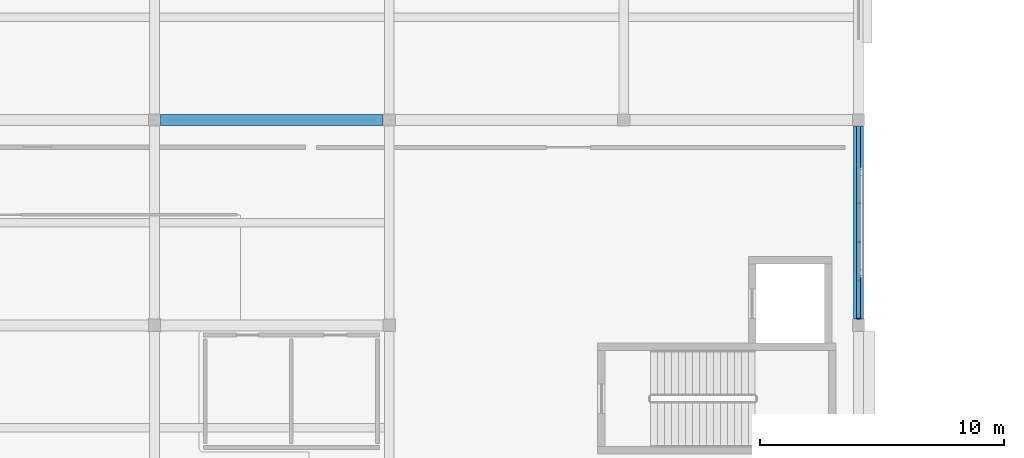
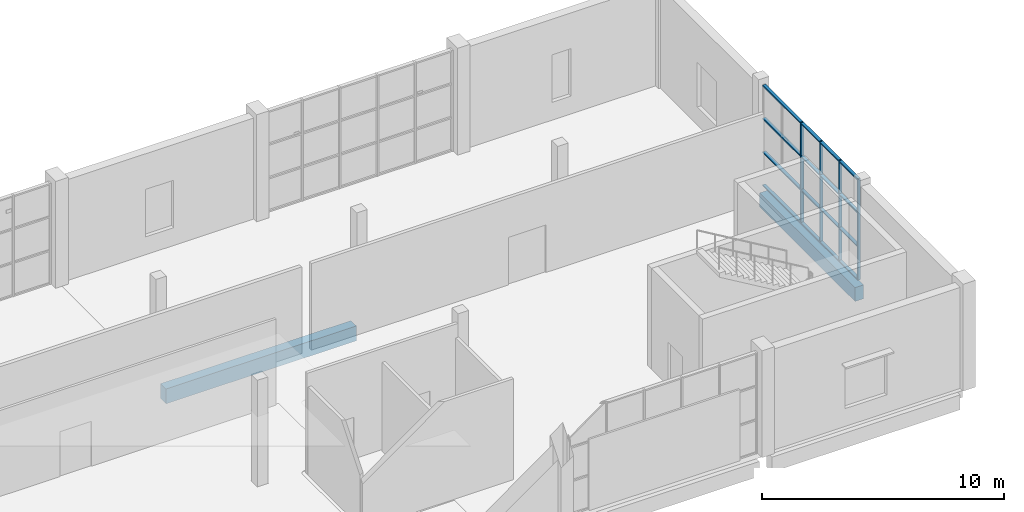
# One storey, part 25 of 72: 8 members, 2 beams, 1 element without a shape of its own.
"""IFC4 building model written with IfcOpenShell, lengths in metres."""

from ifc_helpers import new_model, si_unit, direction, frame, origin, origin_2d, place, context, subcontext, project, spatial, rectangle, extrude, material, material_profile, profile_set, type_object, element, aggregate, save


model = new_model("IFC4")

# Units and contexts
model_context = context("Model", 3, precision=1e-05, world=origin(), true_north=direction((0.0, 1.0)))
body_context = subcontext(model_context, "Body", "Model", "MODEL_VIEW")
ifc_project = project(units=[si_unit("LENGTHUNIT", "METRE"), si_unit("AREAUNIT", "SQUARE_METRE"), si_unit("VOLUMEUNIT", "CUBIC_METRE"), si_unit("PLANEANGLEUNIT", "RADIAN"), si_unit("MASSUNIT", "GRAM", prefix="KILO")], contexts=[model_context])

# Site, building, storey
site_placement = place(None, origin())
site = spatial("IfcSite", under=ifc_project, at=site_placement, CompositionType="ELEMENT")
building_placement = place(site_placement, origin())
building = spatial("IfcBuilding", under=site, at=building_placement, Name="Shalvenor Court Art Gallery", CompositionType="ELEMENT")
storey_placement = place(building_placement, frame((0.0, 0.0, 11.39990234375)))
storey = spatial("IfcBuildingStorey", under=building, at=storey_placement, Name="L02", CompositionType="ELEMENT", Elevation=11.39990234375)

# Beams
ifc_material_1 = material(Name="Concrete C40/50", Category="concrete")
ifc_material_profile_1 = material_profile(ifc_material_1, rectangle(XDim=0.449951171875, YDim=0.75, at=origin_2d()), Name="RC 450x750")
ifc_profile_set_1 = profile_set([ifc_material_profile_1], Name="Concrete C40/50")
beam_type_1 = type_object("IfcBeamType", Name="B-04", PredefinedType="BEAM", material=ifc_profile_set_1)
beam_1_placement = place(storey_placement, frame((96.25, 114.0, -0.69482421875), z_axis=(1.0, 0.0, 0.0), x_axis=(0.0, 1.0, 0.0)))
element("IfcBeam", 1, at=beam_1_placement, inside=storey, type_object=beam_type_1, Name="L02 Girder BM-L02-B-04-0899", PredefinedType="BEAM", context=body_context, shape_type="SweptSolid", body=[
    extrude(rectangle(XDim=0.449951171875, YDim=0.75, at=origin_2d()), origin(), (0.0, 0.0, 1.0), 9.10009765625),
])
ifc_material_2 = material(Name="Concrete C40/50", Category="concrete")
ifc_material_profile_2 = material_profile(ifc_material_2, rectangle(XDim=0.39990234375, YDim=0.699951171875, at=origin_2d()), Name="RC 400x700")
ifc_profile_set_2 = profile_set([ifc_material_profile_2], Name="Concrete C40/50")
beam_type_2 = type_object("IfcBeamType", Name="B-05", PredefinedType="BEAM", material=ifc_profile_set_2)
beam_2_placement = place(storey_placement, frame((124.800048828125, 105.85009765625, -0.669921875), z_axis=(0.0, 1.0, 0.0), x_axis=(-1.0, 0.0, 0.0)))
element("IfcBeam", 2, at=beam_2_placement, inside=storey, type_object=beam_type_2, Name="L02 Girder BM-L02-B-05-0768", PredefinedType="BEAM", context=body_context, shape_type="SweptSolid", body=[
    extrude(rectangle(XDim=0.39990234375, YDim=0.699951171875, at=origin_2d()), origin(), (0.0, 0.0, 1.0), 7.89990234375),
])

# Curtain wall, members
ifc_material_3 = material(Name="Anodised aluminium and low-iron glass curtain wall", Category="aluminium")
curtain_wall_type = type_object("IfcCurtainWallType", Name="CW-5x3-79-51-612", PredefinedType="USERDEFINED", material=ifc_material_3)
curtain_wall_placement = place(storey_placement, origin())
curtain_wall = element("IfcCurtainWall", 3, at=curtain_wall_placement, inside=storey, type_object=curtain_wall_type, Name="L02 V2 Curtain Wall CW-L02-075", ObjectType="CURTAIN WALL", PredefinedType="USERDEFINED")
ifc_material_4 = material(Name="Anodised aluminium mullion", Category="aluminium")
ifc_material_profile_3 = material_profile(ifc_material_4, rectangle(XDim=0.054931640625, YDim=0.139892578125, at=origin_2d()), Name="CWM-06")
ifc_profile_set_3 = profile_set([ifc_material_profile_3], Name="Anodised aluminium mullion")
member_type_1 = type_object("IfcMemberType", Name="CWM-06", PredefinedType="MULLION", material=ifc_profile_set_3)
member_1_placement = place(storey_placement, frame((124.800048828125, 110.590087890625, 0.0), z_axis=(0.0, 0.0, 1.0), x_axis=(0.0, -1.0, 0.0)))
member_1 = element("IfcMember", 4, at=member_1_placement, type_object=member_type_1, Name="CW-5x3-79-51-612 mullion 3", PredefinedType="MULLION", context=body_context, shape_type="SweptSolid", body=[
    extrude(rectangle(XDim=0.054931640625, YDim=0.139892578125, at=origin_2d()), origin(), (0.0, 0.0, 1.0), 5.10009765625),
])
member_2_placement = place(storey_placement, frame((124.800048828125, 109.010009765625, 0.0), z_axis=(0.0, 0.0, 1.0), x_axis=(0.0, -1.0, 0.0)))
member_2 = element("IfcMember", 5, at=member_2_placement, type_object=member_type_1, Name="CW-5x3-79-51-612 mullion 4", PredefinedType="MULLION", context=body_context, shape_type="SweptSolid", body=[
    extrude(rectangle(XDim=0.054931640625, YDim=0.139892578125, at=origin_2d()), origin(), (0.0, 0.0, 1.0), 5.10009765625),
])
member_3_placement = place(storey_placement, frame((124.800048828125, 107.429931640625, 0.0), z_axis=(0.0, 0.0, 1.0), x_axis=(0.0, -1.0, 0.0)))
member_3 = element("IfcMember", 6, at=member_3_placement, type_object=member_type_1, Name="CW-5x3-79-51-612 mullion 5", PredefinedType="MULLION", context=body_context, shape_type="SweptSolid", body=[
    extrude(rectangle(XDim=0.054931640625, YDim=0.139892578125, at=origin_2d()), origin(), (0.0, 0.0, 1.0), 5.10009765625),
])
member_4_placement = place(storey_placement, frame((124.800048828125, 105.87744140625, 0.0), z_axis=(0.0, 0.0, 1.0), x_axis=(0.0, -1.0, 0.0)))
member_4 = element("IfcMember", 7, at=member_4_placement, type_object=member_type_1, Name="CW-5x3-79-51-612 mullion 6", PredefinedType="MULLION", context=body_context, shape_type="SweptSolid", body=[
    extrude(rectangle(XDim=0.054931640625, YDim=0.139892578125, at=origin_2d()), origin(), (0.0, 0.0, 1.0), 5.10009765625),
])
ifc_material_5 = material(Name="Anodised aluminium transom", Category="aluminium")
ifc_material_profile_4 = material_profile(ifc_material_5, rectangle(XDim=0.14990234375, YDim=0.06005859375, at=origin_2d()), Name="CWT-01")
ifc_profile_set_4 = profile_set([ifc_material_profile_4], Name="Anodised aluminium transom")
member_type_2 = type_object("IfcMemberType", Name="CWT-01", PredefinedType="USERDEFINED", material=ifc_profile_set_4)
member_5_placement = place(storey_placement, frame((124.800048828125, 113.722412109375, 0.030029296875), z_axis=(0.0, -1.0, 0.0), x_axis=(1.0, 0.0, 0.0)))
member_5 = element("IfcMember", 8, at=member_5_placement, type_object=member_type_2, Name="CW-5x3-79-51-612 transom 1", ObjectType="TRANSOM", PredefinedType="USERDEFINED", context=body_context, shape_type="SweptSolid", body=[
    extrude(rectangle(XDim=0.14990234375, YDim=0.06005859375, at=origin_2d()), origin(), (0.0, 0.0, 1.0), 7.844970703125),
])
member_6_placement = place(storey_placement, frame((124.800048828125, 113.722412109375, 1.7001953125), z_axis=(0.0, -1.0, 0.0), x_axis=(1.0, 0.0, 0.0)))
member_6 = element("IfcMember", 9, at=member_6_placement, type_object=member_type_2, Name="CW-5x3-79-51-612 transom 2", ObjectType="TRANSOM", PredefinedType="USERDEFINED", context=body_context, shape_type="SweptSolid", body=[
    extrude(rectangle(XDim=0.14990234375, YDim=0.06005859375, at=origin_2d()), origin(), (0.0, 0.0, 1.0), 7.844970703125),
])
member_7_placement = place(storey_placement, frame((124.800048828125, 113.722412109375, 3.400146484375), z_axis=(0.0, -1.0, 0.0), x_axis=(1.0, 0.0, 0.0)))
member_7 = element("IfcMember", 10, at=member_7_placement, type_object=member_type_2, Name="CW-5x3-79-51-612 transom 3", ObjectType="TRANSOM", PredefinedType="USERDEFINED", context=body_context, shape_type="SweptSolid", body=[
    extrude(rectangle(XDim=0.14990234375, YDim=0.06005859375, at=origin_2d()), origin(), (0.0, 0.0, 1.0), 7.844970703125),
])
member_8_placement = place(storey_placement, frame((124.800048828125, 113.722412109375, 5.070068359375), z_axis=(0.0, -1.0, 0.0), x_axis=(1.0, 0.0, 0.0)))
member_8 = element("IfcMember", 11, at=member_8_placement, type_object=member_type_2, Name="CW-5x3-79-51-612 transom 4", ObjectType="TRANSOM", PredefinedType="USERDEFINED", context=body_context, shape_type="SweptSolid", body=[
    extrude(rectangle(XDim=0.14990234375, YDim=0.06005859375, at=origin_2d()), origin(), (0.0, 0.0, 1.0), 7.844970703125),
])
aggregate(curtain_wall, [member_1, member_2, member_3, member_4, member_5, member_6, member_7, member_8])

save(model, "model.ifc")
